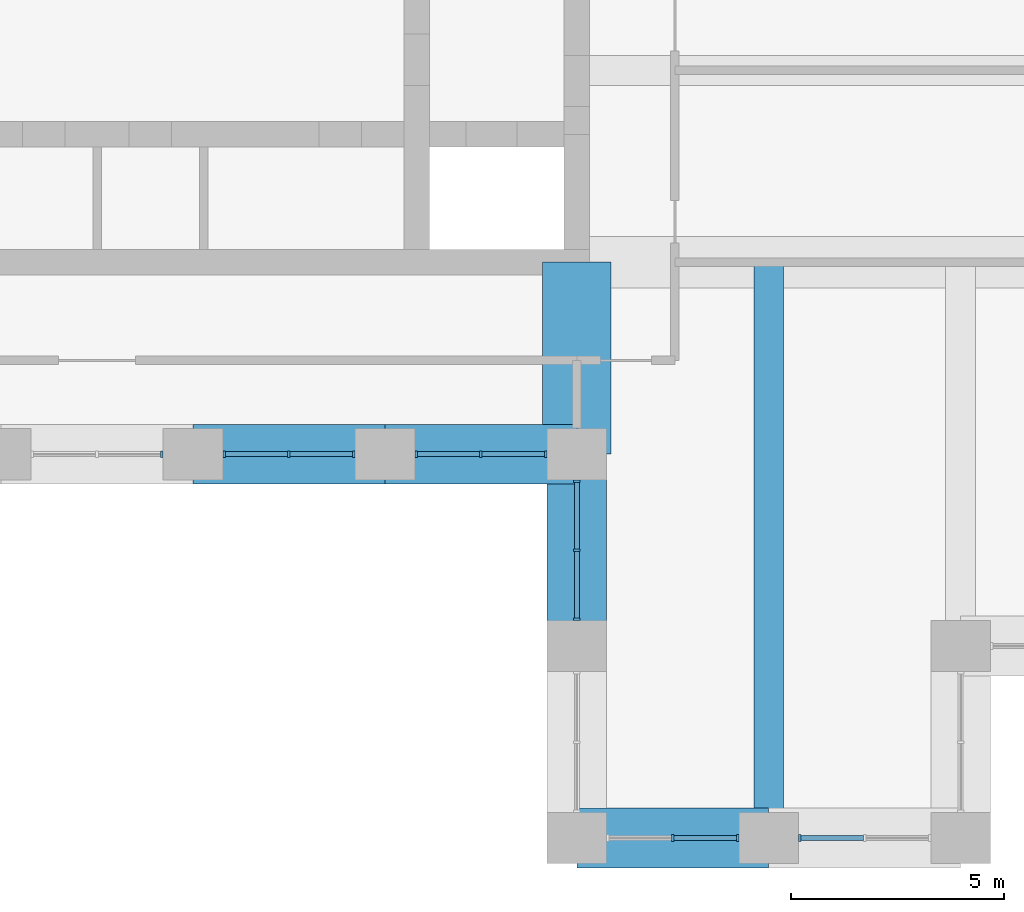
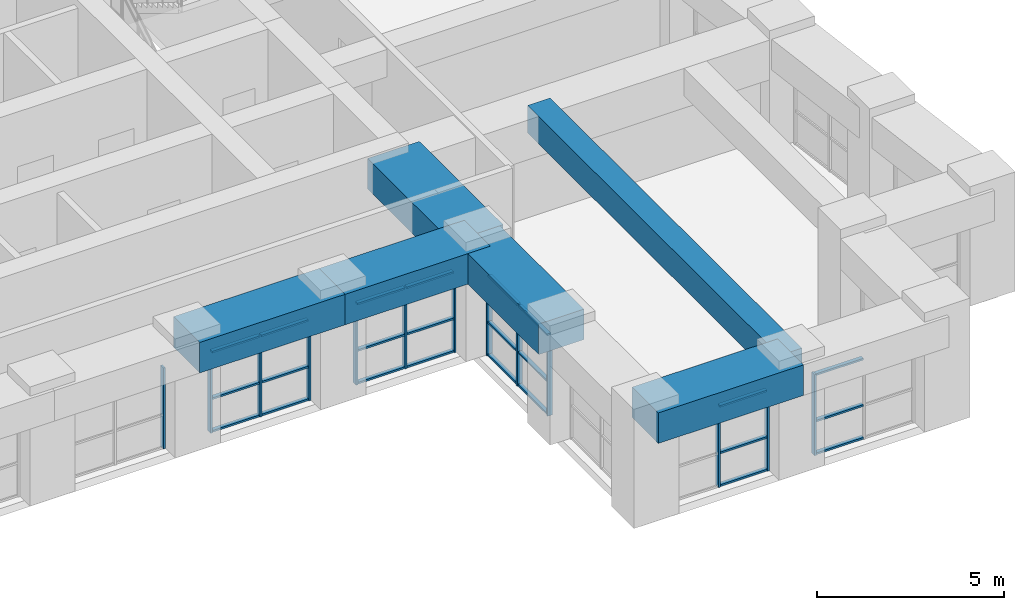
# One storey, part 3 of 15: 37 members, 6 beams, 6 elements without a shape of their own.
"""IFC4 building model written with IfcOpenShell, lengths in metres."""

from ifc_helpers import new_model, si_unit, direction, frame, origin, origin_2d, place, context, subcontext, project, spatial, rectangle, extrude, material, material_profile, profile_set, type_object, element, aggregate, save


model = new_model("IFC4")

# Units and contexts
model_context = context("Model", 3, precision=1e-05, world=origin(), true_north=direction((0.0, 1.0)))
body_context = subcontext(model_context, "Body", "Model", "MODEL_VIEW")
ifc_project = project(units=[si_unit("LENGTHUNIT", "METRE"), si_unit("AREAUNIT", "SQUARE_METRE"), si_unit("VOLUMEUNIT", "CUBIC_METRE"), si_unit("PLANEANGLEUNIT", "RADIAN"), si_unit("MASSUNIT", "GRAM", prefix="KILO")], contexts=[model_context])

# Site, building, storey
site_placement = place(None, origin())
site = spatial("IfcSite", under=ifc_project, at=site_placement, CompositionType="ELEMENT")
building_placement = place(site_placement, origin())
building = spatial("IfcBuilding", under=site, at=building_placement, Name="Kilele Tower Hotel", CompositionType="ELEMENT")
storey_placement = place(building_placement, frame((0.0, 0.0, 285.800048828125)))
storey = spatial("IfcBuildingStorey", under=building, at=storey_placement, Name="L73", CompositionType="ELEMENT", Elevation=285.800048828125)

# Beams
ifc_material_1 = material(Name="Concrete C60/75", Category="concrete")
ifc_material_profile_1 = material_profile(ifc_material_1, rectangle(XDim=1.60009765625, YDim=1.0, at=origin_2d()))
ifc_profile_set_1 = profile_set([ifc_material_profile_1], Name="Concrete C60/75")
beam_type_1 = type_object("IfcBeamType", Name="Beam RC 1600x1000 C60/75 short span", PredefinedType="BEAM", material=ifc_profile_set_1)
beam_1_placement = place(storey_placement, frame((36.0, 9.0, 3.099853515625), z_axis=(0.0, 1.0, 0.0), x_axis=(-1.0, 0.0, 0.0)))
element("IfcBeam", 1, at=beam_1_placement, inside=storey, type_object=beam_type_1, Name="Beam BC2 level CROWN", PredefinedType="BEAM", context=body_context, shape_type="SweptSolid", body=[
    extrude(rectangle(XDim=1.60009765625, YDim=1.0, at=origin_2d()), origin(), (0.0, 0.0, 1.0), 4.5),
])
ifc_material_2 = material(Name="Concrete C60/75", Category="concrete")
ifc_material_profile_2 = material_profile(ifc_material_2, rectangle(XDim=0.699951171875, YDim=0.89990234375, at=origin_2d()))
ifc_profile_set_2 = profile_set([ifc_material_profile_2], Name="Concrete C60/75")
beam_type_2 = type_object("IfcBeamType", Name="Beam RC 700x900 C60/75", PredefinedType="BEAM", material=ifc_profile_set_2)
beam_2_placement = place(storey_placement, frame((40.5, 0.0, 3.14990234375), z_axis=(0.0, 1.0, 0.0), x_axis=(-1.0, 0.0, 0.0)))
element("IfcBeam", 2, at=beam_2_placement, inside=storey, type_object=beam_type_2, Name="Beam B1 level CROWN", PredefinedType="BEAM", context=body_context, shape_type="SweptSolid", body=[
    extrude(rectangle(XDim=0.699951171875, YDim=0.89990234375, at=origin_2d()), origin(), (0.0, 0.0, 1.0), 13.5),
])

# Curtain wall, member
ifc_material_3 = material(Name="Aluminium curtain wall, clear double glazing", Category="aluminium")
curtain_wall_type = type_object("IfcCurtainWallType", Name="Sky bar curtain wall CW-6", PredefinedType="NOTDEFINED", material=ifc_material_3)
curtain_wall_1_placement = place(storey_placement, origin())
curtain_wall_1 = element("IfcCurtainWall", 3, at=curtain_wall_1_placement, inside=storey, type_object=curtain_wall_type, Name="Sky bar curtain wall CW-6 L73", PredefinedType="NOTDEFINED")
ifc_material_4 = material(Name="Aluminium EN AW-6063 T6", Category="aluminium")
ifc_material_profile_3 = material_profile(ifc_material_4, rectangle(XDim=0.159912109375, YDim=0.06005859375, at=origin_2d()))
ifc_profile_set_3 = profile_set([ifc_material_profile_3], Name="Aluminium EN AW-6063 T6")
member_type_1 = type_object("IfcMemberType", Name="Mullion 60x160 CW-6", PredefinedType="MULLION", material=ifc_profile_set_3)
member_1_placement = place(storey_placement, frame((26.27001953125, 9.0, 0.0), z_axis=(0.0, 0.0, 1.0), x_axis=(0.0, 1.0, 0.0)))
member_1 = element("IfcMember", 4, at=member_1_placement, type_object=member_type_1, Name="CW-6 mullion 3", PredefinedType="MULLION", context=body_context, shape_type="SweptSolid", body=[
    extrude(rectangle(XDim=0.159912109375, YDim=0.06005859375, at=origin_2d()), origin(), (0.0, 0.0, 1.0), 2.64990234375),
])
aggregate(curtain_wall_1, [member_1])

# Curtain wall, members
curtain_wall_2_placement = place(storey_placement, origin())
curtain_wall_2 = element("IfcCurtainWall", 5, at=curtain_wall_2_placement, inside=storey, type_object=curtain_wall_type, Name="Sky bar curtain wall CW-6 L73", PredefinedType="NOTDEFINED")
member_2_placement = place(storey_placement, frame((27.72998046875, 9.0, 0.0), z_axis=(0.0, 0.0, 1.0), x_axis=(0.0, 1.0, 0.0)))
member_2 = element("IfcMember", 6, at=member_2_placement, type_object=member_type_1, Name="CW-6 mullion 1", PredefinedType="MULLION", context=body_context, shape_type="SweptSolid", body=[
    extrude(rectangle(XDim=0.159912109375, YDim=0.06005859375, at=origin_2d()), origin(), (0.0, 0.0, 1.0), 2.64990234375),
])
member_3_placement = place(storey_placement, frame((29.25, 9.0, 0.0), z_axis=(0.0, 0.0, 1.0), x_axis=(0.0, 1.0, 0.0)))
member_3 = element("IfcMember", 7, at=member_3_placement, type_object=member_type_1, Name="CW-6 mullion 2", PredefinedType="MULLION", context=body_context, shape_type="SweptSolid", body=[
    extrude(rectangle(XDim=0.159912109375, YDim=0.06005859375, at=origin_2d()), origin(), (0.0, 0.0, 1.0), 2.64990234375),
])
member_4_placement = place(storey_placement, frame((30.77001953125, 9.0, 0.0), z_axis=(0.0, 0.0, 1.0), x_axis=(0.0, 1.0, 0.0)))
member_4 = element("IfcMember", 8, at=member_4_placement, type_object=member_type_1, Name="CW-6 mullion 3", PredefinedType="MULLION", context=body_context, shape_type="SweptSolid", body=[
    extrude(rectangle(XDim=0.159912109375, YDim=0.06005859375, at=origin_2d()), origin(), (0.0, 0.0, 1.0), 2.64990234375),
])

curtain_wall_3_placement = place(storey_placement, origin())
curtain_wall_3 = element("IfcCurtainWall", 9, at=curtain_wall_3_placement, inside=storey, type_object=curtain_wall_type, Name="Sky bar curtain wall CW-6 L73", PredefinedType="NOTDEFINED")
member_5_placement = place(storey_placement, frame((32.22998046875, 9.0, 0.0), z_axis=(0.0, 0.0, 1.0), x_axis=(0.0, 1.0, 0.0)))
member_5 = element("IfcMember", 10, at=member_5_placement, type_object=member_type_1, Name="CW-6 mullion 1", PredefinedType="MULLION", context=body_context, shape_type="SweptSolid", body=[
    extrude(rectangle(XDim=0.159912109375, YDim=0.06005859375, at=origin_2d()), origin(), (0.0, 0.0, 1.0), 2.64990234375),
])
member_6_placement = place(storey_placement, frame((33.75, 9.0, 0.0), z_axis=(0.0, 0.0, 1.0), x_axis=(0.0, 1.0, 0.0)))
member_6 = element("IfcMember", 11, at=member_6_placement, type_object=member_type_1, Name="CW-6 mullion 2", PredefinedType="MULLION", context=body_context, shape_type="SweptSolid", body=[
    extrude(rectangle(XDim=0.159912109375, YDim=0.06005859375, at=origin_2d()), origin(), (0.0, 0.0, 1.0), 2.64990234375),
])
member_7_placement = place(storey_placement, frame((35.27001953125, 9.0, 0.0), z_axis=(0.0, 0.0, 1.0), x_axis=(0.0, 1.0, 0.0)))
member_7 = element("IfcMember", 12, at=member_7_placement, type_object=member_type_1, Name="CW-6 mullion 3", PredefinedType="MULLION", context=body_context, shape_type="SweptSolid", body=[
    extrude(rectangle(XDim=0.159912109375, YDim=0.06005859375, at=origin_2d()), origin(), (0.0, 0.0, 1.0), 2.64990234375),
])

curtain_wall_4_placement = place(storey_placement, origin())
curtain_wall_4 = element("IfcCurtainWall", 13, at=curtain_wall_4_placement, inside=storey, type_object=curtain_wall_type, Name="Sky bar curtain wall CW-6 L73", PredefinedType="NOTDEFINED")
member_8_placement = place(storey_placement, frame((36.0, 8.3701171875, 0.0), z_axis=(0.0, 0.0, 1.0), x_axis=(1.0, 0.0, 0.0)))
member_8 = element("IfcMember", 14, at=member_8_placement, type_object=member_type_1, Name="CW-6 mullion 1", PredefinedType="MULLION", context=body_context, shape_type="SweptSolid", body=[
    extrude(rectangle(XDim=0.159912109375, YDim=0.06005859375, at=origin_2d()), origin(), (0.0, 0.0, 1.0), 2.64990234375),
])
member_9_placement = place(storey_placement, frame((36.0, 6.75, 0.0), z_axis=(0.0, 0.0, 1.0), x_axis=(1.0, 0.0, 0.0)))
member_9 = element("IfcMember", 15, at=member_9_placement, type_object=member_type_1, Name="CW-6 mullion 2", PredefinedType="MULLION", context=body_context, shape_type="SweptSolid", body=[
    extrude(rectangle(XDim=0.159912109375, YDim=0.06005859375, at=origin_2d()), origin(), (0.0, 0.0, 1.0), 2.64990234375),
])
member_10_placement = place(storey_placement, frame((36.0, 5.1298828125, 0.0), z_axis=(0.0, 0.0, 1.0), x_axis=(1.0, 0.0, 0.0)))
member_10 = element("IfcMember", 16, at=member_10_placement, type_object=member_type_1, Name="CW-6 mullion 3", PredefinedType="MULLION", context=body_context, shape_type="SweptSolid", body=[
    extrude(rectangle(XDim=0.159912109375, YDim=0.06005859375, at=origin_2d()), origin(), (0.0, 0.0, 1.0), 2.64990234375),
])

curtain_wall_5_placement = place(storey_placement, origin())
curtain_wall_5 = element("IfcCurtainWall", 17, at=curtain_wall_5_placement, inside=storey, type_object=curtain_wall_type, Name="Sky bar curtain wall CW-6 L73", PredefinedType="NOTDEFINED")
member_11_placement = place(storey_placement, frame((38.25, 0.0, 0.0), z_axis=(0.0, 0.0, 1.0), x_axis=(0.0, 1.0, 0.0)))
member_11 = element("IfcMember", 18, at=member_11_placement, type_object=member_type_1, Name="CW-6 mullion 2", PredefinedType="MULLION", context=body_context, shape_type="SweptSolid", body=[
    extrude(rectangle(XDim=0.159912109375, YDim=0.06005859375, at=origin_2d()), origin(), (0.0, 0.0, 1.0), 2.64990234375),
])
member_12_placement = place(storey_placement, frame((39.77001953125, 0.0, 0.0), z_axis=(0.0, 0.0, 1.0), x_axis=(0.0, 1.0, 0.0)))
member_12 = element("IfcMember", 19, at=member_12_placement, type_object=member_type_1, Name="CW-6 mullion 3", PredefinedType="MULLION", context=body_context, shape_type="SweptSolid", body=[
    extrude(rectangle(XDim=0.159912109375, YDim=0.06005859375, at=origin_2d()), origin(), (0.0, 0.0, 1.0), 2.64990234375),
])

# Curtain wall, member
curtain_wall_6_placement = place(storey_placement, origin())
curtain_wall_6 = element("IfcCurtainWall", 20, at=curtain_wall_6_placement, inside=storey, type_object=curtain_wall_type, Name="Sky bar curtain wall CW-6 L73", PredefinedType="NOTDEFINED")
member_13_placement = place(storey_placement, frame((41.22998046875, 0.0, 0.0), z_axis=(0.0, 0.0, 1.0), x_axis=(0.0, 1.0, 0.0)))
member_13 = element("IfcMember", 21, at=member_13_placement, type_object=member_type_1, Name="CW-6 mullion 1", PredefinedType="MULLION", context=body_context, shape_type="SweptSolid", body=[
    extrude(rectangle(XDim=0.159912109375, YDim=0.06005859375, at=origin_2d()), origin(), (0.0, 0.0, 1.0), 2.64990234375),
])

# Beams
ifc_material_5 = material(Name="Concrete C60/75", Category="concrete")
ifc_material_profile_4 = material_profile(ifc_material_5, rectangle(XDim=1.39990234375, YDim=1.0, at=origin_2d()))
ifc_profile_set_4 = profile_set([ifc_material_profile_4], Name="Concrete C60/75")
beam_type_3 = type_object("IfcBeamType", Name="Spandrel RC 1400x1000 C60/75", PredefinedType="SPANDREL", material=ifc_profile_set_4)
for number, where, z_axis, x_axis, name in (
    (22, (27.0, 9.0, 3.099853515625), (1.0, 0.0, 0.0), (0.0, 1.0, 0.0), "Spandrel SP1 level CROWN"),
    (23, (31.5, 9.0, 3.099853515625), (1.0, 0.0, 0.0), (0.0, 1.0, 0.0), "Spandrel SP1 level CROWN"),
    (24, (36.0, 9.0, 3.099853515625), (0.0, -1.0, 0.0), (1.0, 0.0, 0.0), "Spandrel SP1 level CROWN"),
    (25, (36.0, 0.0, 3.099853515625), (1.0, 0.0, 0.0), (0.0, 1.0, 0.0), "Spandrel SP1 level CROWN"),
):
    element("IfcBeam", number, at=place(storey_placement, frame(where, z_axis=z_axis, x_axis=x_axis)), inside=storey, type_object=beam_type_3, Name=name, PredefinedType="SPANDREL", context=body_context, shape_type="SweptSolid", body=[
        extrude(rectangle(XDim=1.39990234375, YDim=1.0, at=origin_2d()), origin(), (0.0, 0.0, 1.0), 4.5),
    ])

# Member
ifc_material_6 = material(Name="Aluminium EN AW-6063 T6", Category="aluminium")
ifc_material_profile_5 = material_profile(ifc_material_6, rectangle(XDim=0.1201171875, YDim=0.06005859375, at=origin_2d()))
ifc_profile_set_5 = profile_set([ifc_material_profile_5], Name="Aluminium EN AW-6063 T6")
member_type_2 = type_object("IfcMemberType", Name="Transom 60x120 CW-6", PredefinedType="USERDEFINED", material=ifc_profile_set_5)
member_14_placement = place(storey_placement, frame((27.760009765625, 9.0, 0.030029296875), z_axis=(1.0, 0.0, 0.0), x_axis=(0.0, 1.0, 0.0)))
member_14 = element("IfcMember", 26, at=member_14_placement, type_object=member_type_2, Name="CW-6 transom 1.1", ObjectType="TRANSOM", PredefinedType="USERDEFINED", context=body_context, shape_type="SweptSolid", body=[
    extrude(rectangle(XDim=0.1201171875, YDim=0.06005859375, at=origin_2d()), origin(), (0.0, 0.0, 1.0), 1.4599609375),
])

member_15_placement = place(storey_placement, frame((27.760009765625, 9.0, 1.099853515625), z_axis=(1.0, 0.0, 0.0), x_axis=(0.0, 1.0, 0.0)))
member_15 = element("IfcMember", 27, at=member_15_placement, type_object=member_type_2, Name="CW-6 transom 1.2", ObjectType="TRANSOM", PredefinedType="USERDEFINED", context=body_context, shape_type="SweptSolid", body=[
    extrude(rectangle(XDim=0.1201171875, YDim=0.06005859375, at=origin_2d()), origin(), (0.0, 0.0, 1.0), 1.4599609375),
])

member_16_placement = place(storey_placement, frame((27.760009765625, 9.0, 2.619873046875), z_axis=(1.0, 0.0, 0.0), x_axis=(0.0, 1.0, 0.0)))
member_16 = element("IfcMember", 28, at=member_16_placement, type_object=member_type_2, Name="CW-6 transom 1.3", ObjectType="TRANSOM", PredefinedType="USERDEFINED", context=body_context, shape_type="SweptSolid", body=[
    extrude(rectangle(XDim=0.1201171875, YDim=0.06005859375, at=origin_2d()), origin(), (0.0, 0.0, 1.0), 1.4599609375),
])

member_17_placement = place(storey_placement, frame((29.280029296875, 9.0, 0.030029296875), z_axis=(1.0, 0.0, 0.0), x_axis=(0.0, 1.0, 0.0)))
member_17 = element("IfcMember", 29, at=member_17_placement, type_object=member_type_2, Name="CW-6 transom 2.1", ObjectType="TRANSOM", PredefinedType="USERDEFINED", context=body_context, shape_type="SweptSolid", body=[
    extrude(rectangle(XDim=0.1201171875, YDim=0.06005859375, at=origin_2d()), origin(), (0.0, 0.0, 1.0), 1.4599609375),
])

member_18_placement = place(storey_placement, frame((29.280029296875, 9.0, 1.099853515625), z_axis=(1.0, 0.0, 0.0), x_axis=(0.0, 1.0, 0.0)))
member_18 = element("IfcMember", 30, at=member_18_placement, type_object=member_type_2, Name="CW-6 transom 2.2", ObjectType="TRANSOM", PredefinedType="USERDEFINED", context=body_context, shape_type="SweptSolid", body=[
    extrude(rectangle(XDim=0.1201171875, YDim=0.06005859375, at=origin_2d()), origin(), (0.0, 0.0, 1.0), 1.4599609375),
])

member_19_placement = place(storey_placement, frame((29.280029296875, 9.0, 2.619873046875), z_axis=(1.0, 0.0, 0.0), x_axis=(0.0, 1.0, 0.0)))
member_19 = element("IfcMember", 31, at=member_19_placement, type_object=member_type_2, Name="CW-6 transom 2.3", ObjectType="TRANSOM", PredefinedType="USERDEFINED", context=body_context, shape_type="SweptSolid", body=[
    extrude(rectangle(XDim=0.1201171875, YDim=0.06005859375, at=origin_2d()), origin(), (0.0, 0.0, 1.0), 1.4599609375),
])

aggregate(curtain_wall_2, [member_2, member_3, member_4, member_14, member_15, member_16, member_17, member_18, member_19])

member_20_placement = place(storey_placement, frame((32.260009765625, 9.0, 0.030029296875), z_axis=(1.0, 0.0, 0.0), x_axis=(0.0, 1.0, 0.0)))
member_20 = element("IfcMember", 32, at=member_20_placement, type_object=member_type_2, Name="CW-6 transom 1.1", ObjectType="TRANSOM", PredefinedType="USERDEFINED", context=body_context, shape_type="SweptSolid", body=[
    extrude(rectangle(XDim=0.1201171875, YDim=0.06005859375, at=origin_2d()), origin(), (0.0, 0.0, 1.0), 1.4599609375),
])

member_21_placement = place(storey_placement, frame((32.260009765625, 9.0, 1.099853515625), z_axis=(1.0, 0.0, 0.0), x_axis=(0.0, 1.0, 0.0)))
member_21 = element("IfcMember", 33, at=member_21_placement, type_object=member_type_2, Name="CW-6 transom 1.2", ObjectType="TRANSOM", PredefinedType="USERDEFINED", context=body_context, shape_type="SweptSolid", body=[
    extrude(rectangle(XDim=0.1201171875, YDim=0.06005859375, at=origin_2d()), origin(), (0.0, 0.0, 1.0), 1.4599609375),
])

member_22_placement = place(storey_placement, frame((32.260009765625, 9.0, 2.619873046875), z_axis=(1.0, 0.0, 0.0), x_axis=(0.0, 1.0, 0.0)))
member_22 = element("IfcMember", 34, at=member_22_placement, type_object=member_type_2, Name="CW-6 transom 1.3", ObjectType="TRANSOM", PredefinedType="USERDEFINED", context=body_context, shape_type="SweptSolid", body=[
    extrude(rectangle(XDim=0.1201171875, YDim=0.06005859375, at=origin_2d()), origin(), (0.0, 0.0, 1.0), 1.4599609375),
])

member_23_placement = place(storey_placement, frame((33.780029296875, 9.0, 0.030029296875), z_axis=(1.0, 0.0, 0.0), x_axis=(0.0, 1.0, 0.0)))
member_23 = element("IfcMember", 35, at=member_23_placement, type_object=member_type_2, Name="CW-6 transom 2.1", ObjectType="TRANSOM", PredefinedType="USERDEFINED", context=body_context, shape_type="SweptSolid", body=[
    extrude(rectangle(XDim=0.1201171875, YDim=0.06005859375, at=origin_2d()), origin(), (0.0, 0.0, 1.0), 1.4599609375),
])

member_24_placement = place(storey_placement, frame((33.780029296875, 9.0, 1.099853515625), z_axis=(1.0, 0.0, 0.0), x_axis=(0.0, 1.0, 0.0)))
member_24 = element("IfcMember", 36, at=member_24_placement, type_object=member_type_2, Name="CW-6 transom 2.2", ObjectType="TRANSOM", PredefinedType="USERDEFINED", context=body_context, shape_type="SweptSolid", body=[
    extrude(rectangle(XDim=0.1201171875, YDim=0.06005859375, at=origin_2d()), origin(), (0.0, 0.0, 1.0), 1.4599609375),
])

member_25_placement = place(storey_placement, frame((33.780029296875, 9.0, 2.619873046875), z_axis=(1.0, 0.0, 0.0), x_axis=(0.0, 1.0, 0.0)))
member_25 = element("IfcMember", 37, at=member_25_placement, type_object=member_type_2, Name="CW-6 transom 2.3", ObjectType="TRANSOM", PredefinedType="USERDEFINED", context=body_context, shape_type="SweptSolid", body=[
    extrude(rectangle(XDim=0.1201171875, YDim=0.06005859375, at=origin_2d()), origin(), (0.0, 0.0, 1.0), 1.4599609375),
])

aggregate(curtain_wall_3, [member_5, member_6, member_7, member_20, member_21, member_22, member_23, member_24, member_25])

member_26_placement = place(storey_placement, frame((36.0, 8.340087890625, 0.030029296875), z_axis=(0.0, -1.0, 0.0), x_axis=(1.0, 0.0, 0.0)))
member_26 = element("IfcMember", 38, at=member_26_placement, type_object=member_type_2, Name="CW-6 transom 1.1", ObjectType="TRANSOM", PredefinedType="USERDEFINED", context=body_context, shape_type="SweptSolid", body=[
    extrude(rectangle(XDim=0.1201171875, YDim=0.06005859375, at=origin_2d()), origin(), (0.0, 0.0, 1.0), 1.56005859375),
])

member_27_placement = place(storey_placement, frame((36.0, 8.340087890625, 1.099853515625), z_axis=(0.0, -1.0, 0.0), x_axis=(1.0, 0.0, 0.0)))
member_27 = element("IfcMember", 39, at=member_27_placement, type_object=member_type_2, Name="CW-6 transom 1.2", ObjectType="TRANSOM", PredefinedType="USERDEFINED", context=body_context, shape_type="SweptSolid", body=[
    extrude(rectangle(XDim=0.1201171875, YDim=0.06005859375, at=origin_2d()), origin(), (0.0, 0.0, 1.0), 1.56005859375),
])

member_28_placement = place(storey_placement, frame((36.0, 8.340087890625, 2.619873046875), z_axis=(0.0, -1.0, 0.0), x_axis=(1.0, 0.0, 0.0)))
member_28 = element("IfcMember", 40, at=member_28_placement, type_object=member_type_2, Name="CW-6 transom 1.3", ObjectType="TRANSOM", PredefinedType="USERDEFINED", context=body_context, shape_type="SweptSolid", body=[
    extrude(rectangle(XDim=0.1201171875, YDim=0.06005859375, at=origin_2d()), origin(), (0.0, 0.0, 1.0), 1.56005859375),
])

member_29_placement = place(storey_placement, frame((36.0, 6.719970703125, 0.030029296875), z_axis=(0.0, -1.0, 0.0), x_axis=(1.0, 0.0, 0.0)))
member_29 = element("IfcMember", 41, at=member_29_placement, type_object=member_type_2, Name="CW-6 transom 2.1", ObjectType="TRANSOM", PredefinedType="USERDEFINED", context=body_context, shape_type="SweptSolid", body=[
    extrude(rectangle(XDim=0.1201171875, YDim=0.06005859375, at=origin_2d()), origin(), (0.0, 0.0, 1.0), 1.56005859375),
])

member_30_placement = place(storey_placement, frame((36.0, 6.719970703125, 1.099853515625), z_axis=(0.0, -1.0, 0.0), x_axis=(1.0, 0.0, 0.0)))
member_30 = element("IfcMember", 42, at=member_30_placement, type_object=member_type_2, Name="CW-6 transom 2.2", ObjectType="TRANSOM", PredefinedType="USERDEFINED", context=body_context, shape_type="SweptSolid", body=[
    extrude(rectangle(XDim=0.1201171875, YDim=0.06005859375, at=origin_2d()), origin(), (0.0, 0.0, 1.0), 1.56005859375),
])

member_31_placement = place(storey_placement, frame((36.0, 6.719970703125, 2.619873046875), z_axis=(0.0, -1.0, 0.0), x_axis=(1.0, 0.0, 0.0)))
member_31 = element("IfcMember", 43, at=member_31_placement, type_object=member_type_2, Name="CW-6 transom 2.3", ObjectType="TRANSOM", PredefinedType="USERDEFINED", context=body_context, shape_type="SweptSolid", body=[
    extrude(rectangle(XDim=0.1201171875, YDim=0.06005859375, at=origin_2d()), origin(), (0.0, 0.0, 1.0), 1.56005859375),
])

aggregate(curtain_wall_4, [member_8, member_9, member_10, member_26, member_27, member_28, member_29, member_30, member_31])

member_32_placement = place(storey_placement, frame((38.280029296875, 0.0, 0.030029296875), z_axis=(1.0, 0.0, 0.0), x_axis=(0.0, 1.0, 0.0)))
member_32 = element("IfcMember", 44, at=member_32_placement, type_object=member_type_2, Name="CW-6 transom 2.1", ObjectType="TRANSOM", PredefinedType="USERDEFINED", context=body_context, shape_type="SweptSolid", body=[
    extrude(rectangle(XDim=0.1201171875, YDim=0.06005859375, at=origin_2d()), origin(), (0.0, 0.0, 1.0), 1.4599609375),
])

member_33_placement = place(storey_placement, frame((38.280029296875, 0.0, 1.099853515625), z_axis=(1.0, 0.0, 0.0), x_axis=(0.0, 1.0, 0.0)))
member_33 = element("IfcMember", 45, at=member_33_placement, type_object=member_type_2, Name="CW-6 transom 2.2", ObjectType="TRANSOM", PredefinedType="USERDEFINED", context=body_context, shape_type="SweptSolid", body=[
    extrude(rectangle(XDim=0.1201171875, YDim=0.06005859375, at=origin_2d()), origin(), (0.0, 0.0, 1.0), 1.4599609375),
])

member_34_placement = place(storey_placement, frame((38.280029296875, 0.0, 2.619873046875), z_axis=(1.0, 0.0, 0.0), x_axis=(0.0, 1.0, 0.0)))
member_34 = element("IfcMember", 46, at=member_34_placement, type_object=member_type_2, Name="CW-6 transom 2.3", ObjectType="TRANSOM", PredefinedType="USERDEFINED", context=body_context, shape_type="SweptSolid", body=[
    extrude(rectangle(XDim=0.1201171875, YDim=0.06005859375, at=origin_2d()), origin(), (0.0, 0.0, 1.0), 1.4599609375),
])

aggregate(curtain_wall_5, [member_11, member_12, member_32, member_33, member_34])

member_35_placement = place(storey_placement, frame((41.260009765625, 0.0, 0.030029296875), z_axis=(1.0, 0.0, 0.0), x_axis=(0.0, 1.0, 0.0)))
member_35 = element("IfcMember", 47, at=member_35_placement, type_object=member_type_2, Name="CW-6 transom 1.1", ObjectType="TRANSOM", PredefinedType="USERDEFINED", context=body_context, shape_type="SweptSolid", body=[
    extrude(rectangle(XDim=0.1201171875, YDim=0.06005859375, at=origin_2d()), origin(), (0.0, 0.0, 1.0), 1.4599609375),
])

member_36_placement = place(storey_placement, frame((41.260009765625, 0.0, 1.099853515625), z_axis=(1.0, 0.0, 0.0), x_axis=(0.0, 1.0, 0.0)))
member_36 = element("IfcMember", 48, at=member_36_placement, type_object=member_type_2, Name="CW-6 transom 1.2", ObjectType="TRANSOM", PredefinedType="USERDEFINED", context=body_context, shape_type="SweptSolid", body=[
    extrude(rectangle(XDim=0.1201171875, YDim=0.06005859375, at=origin_2d()), origin(), (0.0, 0.0, 1.0), 1.4599609375),
])

member_37_placement = place(storey_placement, frame((41.260009765625, 0.0, 2.619873046875), z_axis=(1.0, 0.0, 0.0), x_axis=(0.0, 1.0, 0.0)))
member_37 = element("IfcMember", 49, at=member_37_placement, type_object=member_type_2, Name="CW-6 transom 1.3", ObjectType="TRANSOM", PredefinedType="USERDEFINED", context=body_context, shape_type="SweptSolid", body=[
    extrude(rectangle(XDim=0.1201171875, YDim=0.06005859375, at=origin_2d()), origin(), (0.0, 0.0, 1.0), 1.4599609375),
])

aggregate(curtain_wall_6, [member_13, member_35, member_36, member_37])

save(model, "model.ifc")
